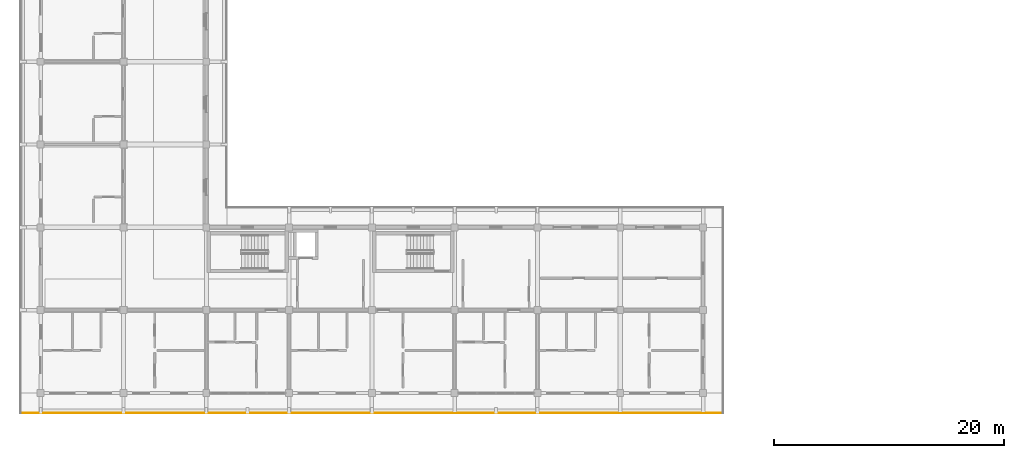
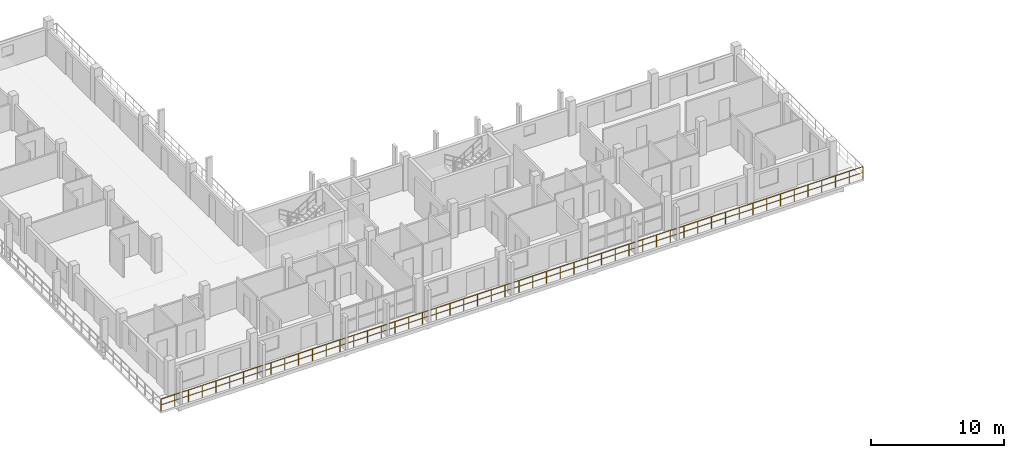
# One storey, part 62 of 76: 1 railing.
"""IFC4 building model written with IfcOpenShell, lengths in metres."""

from ifc_helpers import new_model, si_unit, direction, frame, origin, origin_2d, place, context, subcontext, project, spatial, rectangle, extrude, material, type_object, element, save


model = new_model("IFC4")

# Units and contexts
model_context = context("Model", 3, precision=1e-05, world=origin(), true_north=direction((0.0, 1.0)))
body_context = subcontext(model_context, "Body", "Model", "MODEL_VIEW")
ifc_project = project(units=[si_unit("LENGTHUNIT", "METRE"), si_unit("AREAUNIT", "SQUARE_METRE"), si_unit("VOLUMEUNIT", "CUBIC_METRE"), si_unit("PLANEANGLEUNIT", "RADIAN"), si_unit("MASSUNIT", "GRAM", prefix="KILO")], contexts=[model_context])

# Site, building, storey
site_placement = place(None, origin())
site = spatial("IfcSite", under=ifc_project, at=site_placement, CompositionType="ELEMENT")
building_placement = place(site_placement, origin())
building = spatial("IfcBuilding", under=site, at=building_placement, Name="Suanplinth Sawtooth Commons", CompositionType="ELEMENT")
storey_placement = place(building_placement, frame((0.0, 0.0, 12.199951171875)))
storey = spatial("IfcBuildingStorey", under=building, at=storey_placement, Name="L03", CompositionType="ELEMENT", Elevation=12.199951171875)

# Railing
ifc_material = material(Name="Powder-coated galvanized steel", Category="steel")
railing_type = type_object("IfcRailingType", Name="GR-01", PredefinedType="BALUSTRADE", material=ifc_material)
railing_placement = place(storey_placement, frame((59.340087890625, -1.739990234375, 0.0)))
element("IfcRailing", 1, at=railing_placement, inside=storey, type_object=railing_type, Name="L03 Block D Perimeter Balustrade 6", PredefinedType="BALUSTRADE", context=body_context, shape_type="SweptSolid", body=[
    extrude(rectangle(XDim=0.048095703125, YDim=0.048095703125, at=origin_2d()), frame((0.0, 0.0, 1.09619140625), z_axis=(-1.0, 0.0, 0.0), x_axis=(0.0, -1.0, 0.0)), (0.0, 0.0, 1.0), 61.080078125),
    extrude(rectangle(XDim=0.03369140625, YDim=0.03369140625, at=origin_2d()), frame((0.0, 0.0, 0.56005859375), z_axis=(-1.0, 0.0, 0.0), x_axis=(0.0, -1.0, 0.0)), (0.0, 0.0, 1.0), 61.080078125),
    extrude(rectangle(XDim=0.0419921875, YDim=0.0419921875, at=origin_2d()), origin(), (0.0, 0.0, 1.0), 1.072021484375),
    extrude(rectangle(XDim=0.0419921875, YDim=0.0419921875, at=origin_2d()), frame((-1.19775390625, 0.0, 0.0)), (0.0, 0.0, 1.0), 1.072021484375),
    extrude(rectangle(XDim=0.0419921875, YDim=0.0419921875, at=origin_2d()), frame((-2.395263671875, 0.0, 0.0)), (0.0, 0.0, 1.0), 1.072021484375),
    extrude(rectangle(XDim=0.0419921875, YDim=0.0419921875, at=origin_2d()), frame((-3.593017578125, 0.0, 0.0)), (0.0, 0.0, 1.0), 1.072021484375),
    extrude(rectangle(XDim=0.0419921875, YDim=0.0419921875, at=origin_2d()), frame((-4.79052734375, 0.0, 0.0)), (0.0, 0.0, 1.0), 1.072021484375),
    extrude(rectangle(XDim=0.0419921875, YDim=0.0419921875, at=origin_2d()), frame((-5.98828125, 0.0, 0.0)), (0.0, 0.0, 1.0), 1.072021484375),
    extrude(rectangle(XDim=0.0419921875, YDim=0.0419921875, at=origin_2d()), frame((-7.185791015625, 0.0, 0.0)), (0.0, 0.0, 1.0), 1.072021484375),
    extrude(rectangle(XDim=0.0419921875, YDim=0.0419921875, at=origin_2d()), frame((-8.383544921875, 0.0, 0.0)), (0.0, 0.0, 1.0), 1.072021484375),
    extrude(rectangle(XDim=0.0419921875, YDim=0.0419921875, at=origin_2d()), frame((-9.581298828125, 0.0, 0.0)), (0.0, 0.0, 1.0), 1.072021484375),
    extrude(rectangle(XDim=0.0419921875, YDim=0.0419921875, at=origin_2d()), frame((-10.77880859375, 0.0, 0.0)), (0.0, 0.0, 1.0), 1.072021484375),
    extrude(rectangle(XDim=0.0419921875, YDim=0.0419921875, at=origin_2d()), frame((-11.9765625, 0.0, 0.0)), (0.0, 0.0, 1.0), 1.072021484375),
    extrude(rectangle(XDim=0.0419921875, YDim=0.0419921875, at=origin_2d()), frame((-13.174072265625, 0.0, 0.0)), (0.0, 0.0, 1.0), 1.072021484375),
    extrude(rectangle(XDim=0.0419921875, YDim=0.0419921875, at=origin_2d()), frame((-14.371826171875, 0.0, 0.0)), (0.0, 0.0, 1.0), 1.072021484375),
    extrude(rectangle(XDim=0.0419921875, YDim=0.0419921875, at=origin_2d()), frame((-15.5693359375, 0.0, 0.0)), (0.0, 0.0, 1.0), 1.072021484375),
    extrude(rectangle(XDim=0.0419921875, YDim=0.0419921875, at=origin_2d()), frame((-16.76708984375, 0.0, 0.0)), (0.0, 0.0, 1.0), 1.072021484375),
    extrude(rectangle(XDim=0.0419921875, YDim=0.0419921875, at=origin_2d()), frame((-17.96484375, 0.0, 0.0)), (0.0, 0.0, 1.0), 1.072021484375),
    extrude(rectangle(XDim=0.0419921875, YDim=0.0419921875, at=origin_2d()), frame((-19.162353515625, 0.0, 0.0)), (0.0, 0.0, 1.0), 1.072021484375),
    extrude(rectangle(XDim=0.0419921875, YDim=0.0419921875, at=origin_2d()), frame((-20.360107421875, 0.0, 0.0)), (0.0, 0.0, 1.0), 1.072021484375),
    extrude(rectangle(XDim=0.0419921875, YDim=0.0419921875, at=origin_2d()), frame((-21.5576171875, 0.0, 0.0)), (0.0, 0.0, 1.0), 1.072021484375),
    extrude(rectangle(XDim=0.0419921875, YDim=0.0419921875, at=origin_2d()), frame((-22.75537109375, 0.0, 0.0)), (0.0, 0.0, 1.0), 1.072021484375),
    extrude(rectangle(XDim=0.0419921875, YDim=0.0419921875, at=origin_2d()), frame((-23.952880859375, 0.0, 0.0)), (0.0, 0.0, 1.0), 1.072021484375),
    extrude(rectangle(XDim=0.0419921875, YDim=0.0419921875, at=origin_2d()), frame((-25.150634765625, 0.0, 0.0)), (0.0, 0.0, 1.0), 1.072021484375),
    extrude(rectangle(XDim=0.0419921875, YDim=0.0419921875, at=origin_2d()), frame((-26.348388671875, 0.0, 0.0)), (0.0, 0.0, 1.0), 1.072021484375),
    extrude(rectangle(XDim=0.0419921875, YDim=0.0419921875, at=origin_2d()), frame((-27.5458984375, 0.0, 0.0)), (0.0, 0.0, 1.0), 1.072021484375),
    extrude(rectangle(XDim=0.0419921875, YDim=0.0419921875, at=origin_2d()), frame((-28.74365234375, 0.0, 0.0)), (0.0, 0.0, 1.0), 1.072021484375),
    extrude(rectangle(XDim=0.0419921875, YDim=0.0419921875, at=origin_2d()), frame((-29.941162109375, 0.0, 0.0)), (0.0, 0.0, 1.0), 1.072021484375),
    extrude(rectangle(XDim=0.0419921875, YDim=0.0419921875, at=origin_2d()), frame((-31.138916015625, 0.0, 0.0)), (0.0, 0.0, 1.0), 1.072021484375),
    extrude(rectangle(XDim=0.0419921875, YDim=0.0419921875, at=origin_2d()), frame((-32.33642578125, 0.0, 0.0)), (0.0, 0.0, 1.0), 1.072021484375),
    extrude(rectangle(XDim=0.0419921875, YDim=0.0419921875, at=origin_2d()), frame((-33.5341796875, 0.0, 0.0)), (0.0, 0.0, 1.0), 1.072021484375),
    extrude(rectangle(XDim=0.0419921875, YDim=0.0419921875, at=origin_2d()), frame((-34.731689453125, 0.0, 0.0)), (0.0, 0.0, 1.0), 1.072021484375),
    extrude(rectangle(XDim=0.0419921875, YDim=0.0419921875, at=origin_2d()), frame((-35.929443359375, 0.0, 0.0)), (0.0, 0.0, 1.0), 1.072021484375),
    extrude(rectangle(XDim=0.0419921875, YDim=0.0419921875, at=origin_2d()), frame((-37.127197265625, 0.0, 0.0)), (0.0, 0.0, 1.0), 1.072021484375),
    extrude(rectangle(XDim=0.0419921875, YDim=0.0419921875, at=origin_2d()), frame((-38.32470703125, 0.0, 0.0)), (0.0, 0.0, 1.0), 1.072021484375),
    extrude(rectangle(XDim=0.0419921875, YDim=0.0419921875, at=origin_2d()), frame((-39.5224609375, 0.0, 0.0)), (0.0, 0.0, 1.0), 1.072021484375),
    extrude(rectangle(XDim=0.0419921875, YDim=0.0419921875, at=origin_2d()), frame((-40.719970703125, 0.0, 0.0)), (0.0, 0.0, 1.0), 1.072021484375),
    extrude(rectangle(XDim=0.0419921875, YDim=0.0419921875, at=origin_2d()), frame((-41.917724609375, 0.0, 0.0)), (0.0, 0.0, 1.0), 1.072021484375),
    extrude(rectangle(XDim=0.0419921875, YDim=0.0419921875, at=origin_2d()), frame((-43.115234375, 0.0, 0.0)), (0.0, 0.0, 1.0), 1.072021484375),
    extrude(rectangle(XDim=0.0419921875, YDim=0.0419921875, at=origin_2d()), frame((-44.31298828125, 0.0, 0.0)), (0.0, 0.0, 1.0), 1.072021484375),
    extrude(rectangle(XDim=0.0419921875, YDim=0.0419921875, at=origin_2d()), frame((-45.5107421875, 0.0, 0.0)), (0.0, 0.0, 1.0), 1.072021484375),
    extrude(rectangle(XDim=0.0419921875, YDim=0.0419921875, at=origin_2d()), frame((-46.708251953125, 0.0, 0.0)), (0.0, 0.0, 1.0), 1.072021484375),
    extrude(rectangle(XDim=0.0419921875, YDim=0.0419921875, at=origin_2d()), frame((-47.906005859375, 0.0, 0.0)), (0.0, 0.0, 1.0), 1.072021484375),
    extrude(rectangle(XDim=0.0419921875, YDim=0.0419921875, at=origin_2d()), frame((-49.103515625, 0.0, 0.0)), (0.0, 0.0, 1.0), 1.072021484375),
    extrude(rectangle(XDim=0.0419921875, YDim=0.0419921875, at=origin_2d()), frame((-50.30126953125, 0.0, 0.0)), (0.0, 0.0, 1.0), 1.072021484375),
    extrude(rectangle(XDim=0.0419921875, YDim=0.0419921875, at=origin_2d()), frame((-51.498779296875, 0.0, 0.0)), (0.0, 0.0, 1.0), 1.072021484375),
    extrude(rectangle(XDim=0.0419921875, YDim=0.0419921875, at=origin_2d()), frame((-52.696533203125, 0.0, 0.0)), (0.0, 0.0, 1.0), 1.072021484375),
    extrude(rectangle(XDim=0.0419921875, YDim=0.0419921875, at=origin_2d()), frame((-53.894287109375, 0.0, 0.0)), (0.0, 0.0, 1.0), 1.072021484375),
    extrude(rectangle(XDim=0.0419921875, YDim=0.0419921875, at=origin_2d()), frame((-55.091796875, 0.0, 0.0)), (0.0, 0.0, 1.0), 1.072021484375),
    extrude(rectangle(XDim=0.0419921875, YDim=0.0419921875, at=origin_2d()), frame((-56.28955078125, 0.0, 0.0)), (0.0, 0.0, 1.0), 1.072021484375),
    extrude(rectangle(XDim=0.0419921875, YDim=0.0419921875, at=origin_2d()), frame((-57.487060546875, 0.0, 0.0)), (0.0, 0.0, 1.0), 1.072021484375),
    extrude(rectangle(XDim=0.0419921875, YDim=0.0419921875, at=origin_2d()), frame((-58.684814453125, 0.0, 0.0)), (0.0, 0.0, 1.0), 1.072021484375),
    extrude(rectangle(XDim=0.0419921875, YDim=0.0419921875, at=origin_2d()), frame((-59.88232421875, 0.0, 0.0)), (0.0, 0.0, 1.0), 1.072021484375),
    extrude(rectangle(XDim=0.0419921875, YDim=0.0419921875, at=origin_2d()), frame((-61.080078125, 0.0, 0.0)), (0.0, 0.0, 1.0), 1.072021484375),
])

save(model, "model.ifc")
